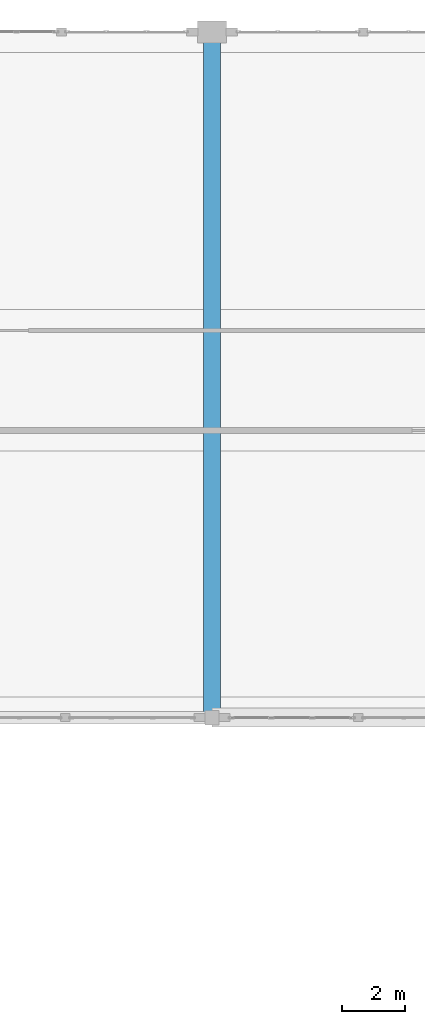
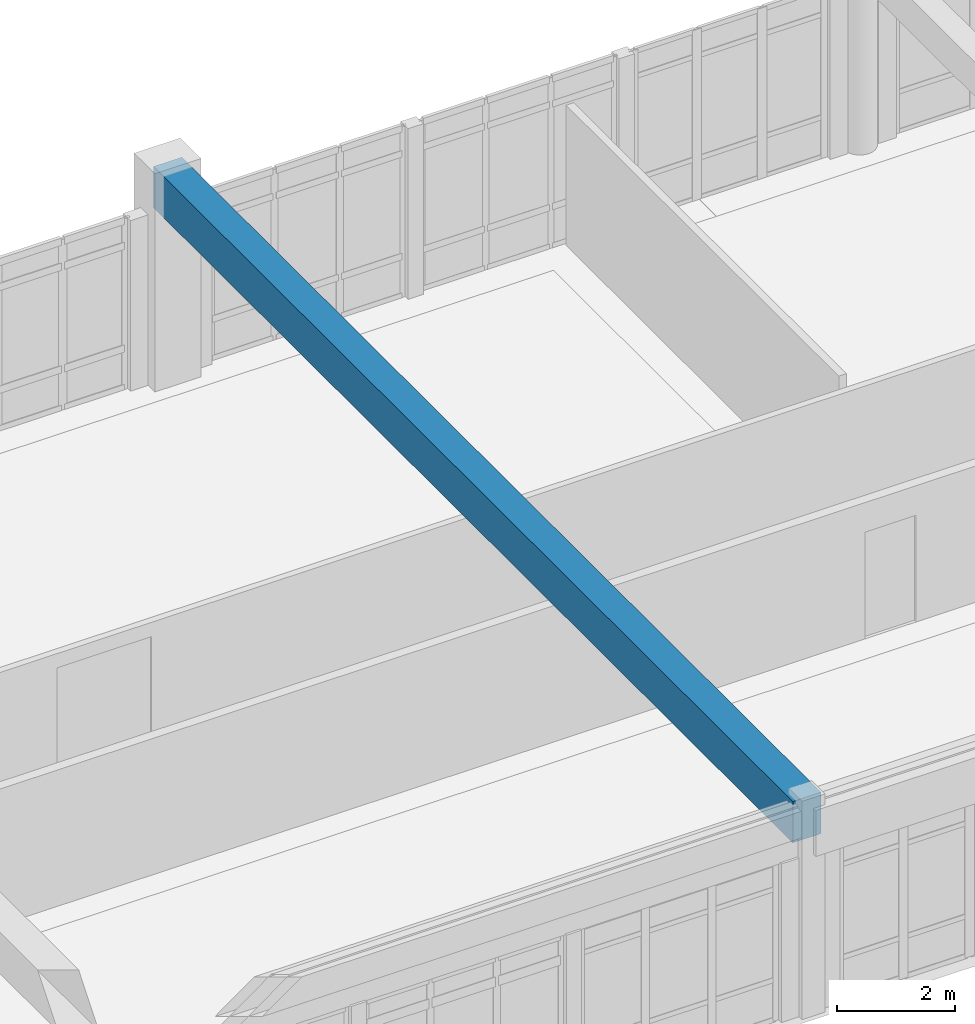
# One storey, part 50 of 109: 1 beam.
"""IFC4 building model written with IfcOpenShell, lengths in metres."""

from ifc_helpers import new_model, si_unit, direction, frame, origin, origin_2d, place, context, subcontext, project, spatial, rectangle, extrude, material, material_profile, profile_set, type_object, element, save


model = new_model("IFC4")

# Units and contexts
model_context = context("Model", 3, precision=1e-05, world=origin(), true_north=direction((0.0, 1.0)))
body_context = subcontext(model_context, "Body", "Model", "MODEL_VIEW")
ifc_project = project(units=[si_unit("LENGTHUNIT", "METRE"), si_unit("AREAUNIT", "SQUARE_METRE"), si_unit("VOLUMEUNIT", "CUBIC_METRE"), si_unit("PLANEANGLEUNIT", "RADIAN"), si_unit("MASSUNIT", "GRAM", prefix="KILO")], contexts=[model_context])

# Site, building, storey
site_placement = place(None, origin())
site = spatial("IfcSite", under=ifc_project, at=site_placement, CompositionType="ELEMENT")
building_placement = place(site_placement, origin())
building = spatial("IfcBuilding", under=site, at=building_placement, Name="Fikremerkos Civic Library", CompositionType="ELEMENT")
storey_placement = place(building_placement, frame((0.0, 0.0, 5.39990234375)))
storey = spatial("IfcBuildingStorey", under=building, at=storey_placement, Name="L01", CompositionType="ELEMENT", Elevation=5.39990234375)

# Beam
ifc_material = material(Name="Concrete C40/50", Category="concrete")
ifc_material_profile = material_profile(ifc_material, rectangle(XDim=0.550048828125, YDim=0.85009765625, at=origin_2d()), Name="RC 550x850")
ifc_profile_set = profile_set([ifc_material_profile], Name="Concrete C40/50")
beam_type = type_object("IfcBeamType", Name="Primary girder BM-03 RC 550x850", PredefinedType="BEAM", material=ifc_profile_set)
beam_placement = place(storey_placement, frame((100.199951171875, 96.0, 3.952392578125), z_axis=(0.0, 1.0, 0.0), x_axis=(-1.0, 0.0, 0.0)))
element("IfcBeam", 1, at=beam_placement, inside=storey, type_object=beam_type, Name="Primary girder BM-03 L01 grid 9", PredefinedType="BEAM", context=body_context, shape_type="SweptSolid", body=[
    extrude(rectangle(XDim=0.550048828125, YDim=0.85009765625, at=origin_2d()), origin(), (0.0, 0.0, 1.0), 21.60009765625),
])

save(model, "model.ifc")
